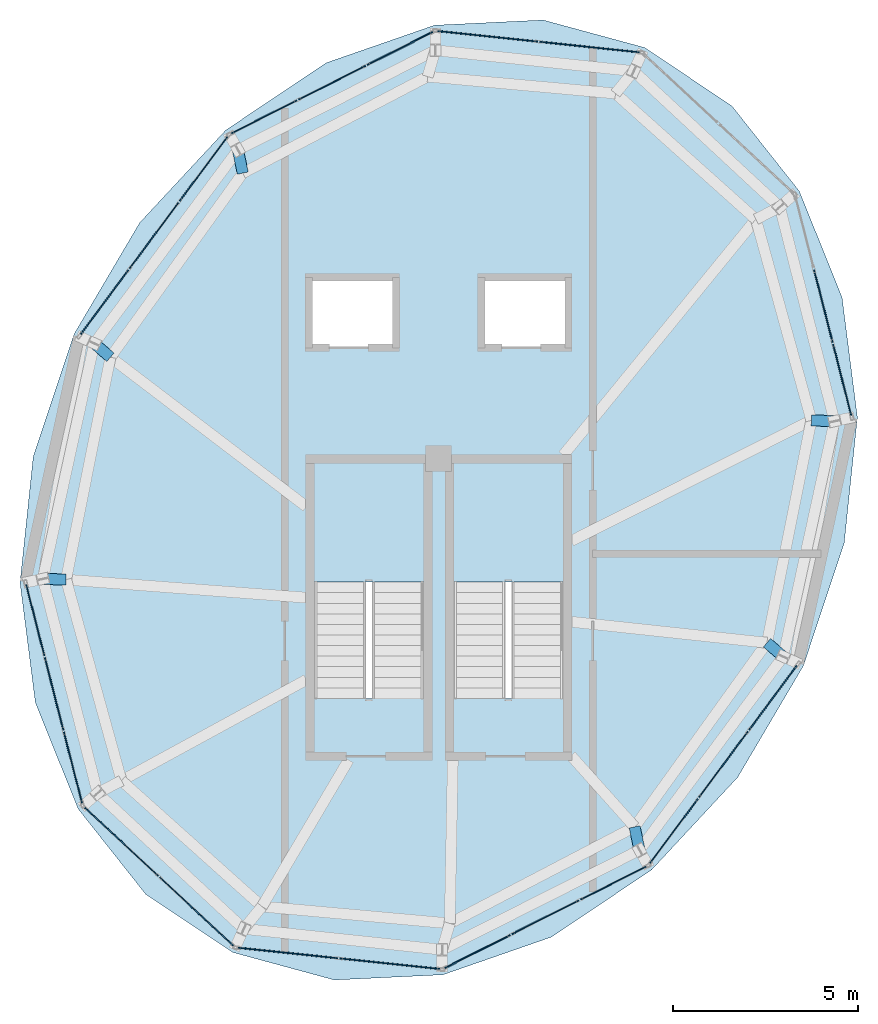
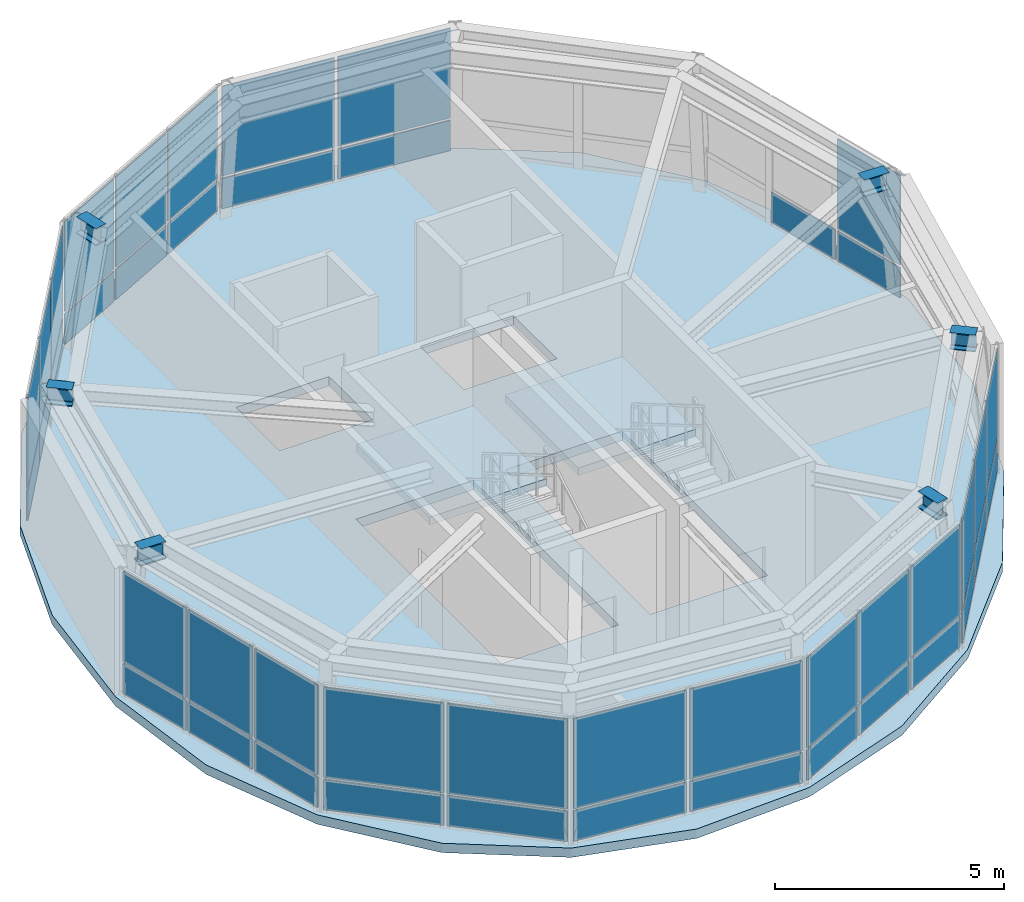
# One storey, part 7 of 9: 45 plates, 6 beams, 3 slabs, 11 elements without a shape of their own.
"""IFC4 building model written with IfcOpenShell, lengths in metres."""

from ifc_helpers import new_model, si_unit, direction, frame, origin, origin_2d, place, context, subcontext, project, spatial, polyline, rectangle, i_section, outline, extrude, material, layer, layer_set, material_profile, profile_set, type_object, element, aggregate, save


model = new_model("IFC4")

# Units and contexts
model_context = context("Model", 3, precision=1e-05, world=origin(), true_north=direction((0.0, 1.0)))
body_context = subcontext(model_context, "Body", "Model", "MODEL_VIEW")
ifc_project = project(units=[si_unit("LENGTHUNIT", "METRE"), si_unit("AREAUNIT", "SQUARE_METRE"), si_unit("VOLUMEUNIT", "CUBIC_METRE"), si_unit("PLANEANGLEUNIT", "RADIAN"), si_unit("MASSUNIT", "GRAM", prefix="KILO"), si_unit("THERMODYNAMICTEMPERATUREUNIT", "KELVIN"), si_unit("POWERUNIT", "WATT")], contexts=[model_context])

# Site, building, storey
site_placement = place(None, origin())
site = spatial("IfcSite", under=ifc_project, at=site_placement, CompositionType="ELEMENT")
building_placement = place(site_placement, origin())
building = spatial("IfcBuilding", under=site, at=building_placement, Name="Ocrelia Relay Tower", CompositionType="ELEMENT")
storey_placement = place(building_placement, frame((0.0, 0.0, 300.0)))
storey = spatial("IfcBuildingStorey", under=building, at=storey_placement, Name="L75", CompositionType="ELEMENT", Elevation=300.0)

# Beams
ifc_material_1 = material(Name="Steel S355", Category="steel")
ifc_material_profile = material_profile(ifc_material_1, i_section(OverallWidth=0.300048828125, OverallDepth=0.449951171875, WebThickness=0.013916015625, FlangeThickness=0.02587890625, FilletRadius=0.027099609375, at=origin_2d()), Name="HEB 450")
ifc_profile_set = profile_set([ifc_material_profile], Name="Steel S355")
beam_type = type_object("IfcBeamType", Name="BM-HEB450", PredefinedType="BEAM", material=ifc_profile_set)
beam_1_placement = place(storey_placement, frame((28.5869140625, 35.436767578125, 3.52490234375), z_axis=(0.206029745318, -0.978545729153, 0.0), x_axis=(0.978545729153, 0.206029745318, 0.0)))
element("IfcBeam", 1, at=beam_1_placement, inside=storey, type_object=beam_type, Name="L75 Crown Step Radial Beam ST03", PredefinedType="BEAM", context=body_context, shape_type="SweptSolid", body=[
    extrude(i_section(OverallWidth=0.300048828125, OverallDepth=0.449951171875, WebThickness=0.013916015625, FlangeThickness=0.02587890625, FilletRadius=0.027099609375, at=origin_2d()), origin(), (0.0, 0.0, 1.0), 0.638671875),
])
beam_2_placement = place(storey_placement, frame((24.714599609375, 30.2216796875, 3.52490234375), z_axis=(0.759046446129, -0.651036475644, 0.0), x_axis=(0.651036475644, 0.759046446129, 0.0)))
element("IfcBeam", 2, at=beam_2_placement, inside=storey, type_object=beam_type, Name="L75 Crown Step Radial Beam ST04", PredefinedType="BEAM", context=body_context, shape_type="SweptSolid", body=[
    extrude(i_section(OverallWidth=0.300048828125, OverallDepth=0.449951171875, WebThickness=0.013916015625, FlangeThickness=0.02587890625, FilletRadius=0.027099609375, at=origin_2d()), origin(), (0.0, 0.0, 1.0), 0.57421875),
])
beam_3_placement = place(storey_placement, frame((23.330322265625, 23.87548828125, 3.52490234375), z_axis=(0.999351333752, -0.036012660676, 0.0), x_axis=(0.036012660676, 0.999351333752, 0.0)))
element("IfcBeam", 3, at=beam_3_placement, inside=storey, type_object=beam_type, Name="L75 Crown Step Radial Beam ST05", PredefinedType="BEAM", context=body_context, shape_type="SweptSolid", body=[
    extrude(i_section(OverallWidth=0.300048828125, OverallDepth=0.449951171875, WebThickness=0.013916015625, FlangeThickness=0.02587890625, FilletRadius=0.027099609375, at=origin_2d()), origin(), (0.0, 0.0, 1.0), 0.623779296875),
])
beam_4_placement = place(storey_placement, frame((39.4130859375, 16.563232421875, 3.52490234375), z_axis=(-0.206029745318, 0.978545729153, 0.0), x_axis=(-0.978545729153, -0.206029745318, 0.0)))
element("IfcBeam", 4, at=beam_4_placement, inside=storey, type_object=beam_type, Name="L75 Crown Step Radial Beam ST09", PredefinedType="BEAM", context=body_context, shape_type="SweptSolid", body=[
    extrude(i_section(OverallWidth=0.300048828125, OverallDepth=0.449951171875, WebThickness=0.013916015625, FlangeThickness=0.02587890625, FilletRadius=0.027099609375, at=origin_2d()), origin(), (0.0, 0.0, 1.0), 0.638671875),
])
beam_5_placement = place(storey_placement, frame((43.285400390625, 21.7783203125, 3.52490234375), z_axis=(-0.759046446129, 0.651036475644, 0.0), x_axis=(-0.651036475644, -0.759046446129, 0.0)))
element("IfcBeam", 5, at=beam_5_placement, inside=storey, type_object=beam_type, Name="L75 Crown Step Radial Beam ST10", PredefinedType="BEAM", context=body_context, shape_type="SweptSolid", body=[
    extrude(i_section(OverallWidth=0.300048828125, OverallDepth=0.449951171875, WebThickness=0.013916015625, FlangeThickness=0.02587890625, FilletRadius=0.027099609375, at=origin_2d()), origin(), (0.0, 0.0, 1.0), 0.57421875),
])
beam_6_placement = place(storey_placement, frame((44.669677734375, 28.12451171875, 3.52490234375), z_axis=(-0.999351333752, 0.036012660676, 0.0), x_axis=(-0.036012660676, -0.999351333752, 0.0)))
element("IfcBeam", 6, at=beam_6_placement, inside=storey, type_object=beam_type, Name="L75 Crown Step Radial Beam ST11", PredefinedType="BEAM", context=body_context, shape_type="SweptSolid", body=[
    extrude(i_section(OverallWidth=0.300048828125, OverallDepth=0.449951171875, WebThickness=0.013916015625, FlangeThickness=0.02587890625, FilletRadius=0.027099609375, at=origin_2d()), origin(), (0.0, 0.0, 1.0), 0.623779296875),
])

# Curtain wall, plates
ifc_material_2 = material(Name="Aluminium and solar-control low-E glass", Category="aluminium")
ifc_layer_1 = layer(ifc_material_2, 0.179931640625, Name="Aluminium and solar-control low-E glass")
ifc_layer_set_1 = layer_set([ifc_layer_1], Name="Aluminium and solar-control low-E glass")
curtain_wall_type = type_object("IfcCurtainWallType", Name="CW-SYS-CROWN-PT", PredefinedType="NOTDEFINED", material=ifc_layer_set_1)
curtain_wall_1_placement = place(storey_placement, origin())
curtain_wall_1 = element("IfcCurtainWall", 7, at=curtain_wall_1_placement, inside=storey, type_object=curtain_wall_type, Name="L75 Faceted Glass-Point Crown Curtain Wall 01", PredefinedType="NOTDEFINED")
ifc_material_3 = material(Name="Clear double-glazed low-E glass", Category="glass")
ifc_layer_2 = layer(ifc_material_3, 0.031982421875, Name="Clear double-glazed low-E glass")
ifc_layer_set_2 = layer_set([ifc_layer_2], Name="Clear double-glazed low-E glass")
plate_type = type_object("IfcPlateType", Name="CW-SYS-CROWN-PT-PNL", PredefinedType="CURTAIN_PANEL", material=ifc_layer_set_2)
plate_1_placement = place(storey_placement, frame((38.070068359375, 38.210693359375, 0.06494140625), z_axis=(0.0, 0.0, 1.0), x_axis=(-0.994498031357, 0.104755265388, 0.0)))
plate_1 = element("IfcPlate", 8, at=plate_1_placement, type_object=plate_type, Name="CW-CR panel 1.1", PredefinedType="CURTAIN_PANEL", context=body_context, shape_type="SweptSolid", body=[
    extrude(rectangle(XDim=2.694091796875, YDim=0.031982421875, at=origin_2d()), origin(), (0.0, 0.0, 1.0), 0.802490234375),
])
plate_2_placement = place(storey_placement, frame((38.070068359375, 38.210693359375, 0.932373046875), z_axis=(0.0, 0.0, 1.0), x_axis=(-0.994498031357, 0.104755265388, 0.0)))
plate_2 = element("IfcPlate", 9, at=plate_2_placement, type_object=plate_type, Name="CW-CR panel 1.2", PredefinedType="CURTAIN_PANEL", context=body_context, shape_type="SweptSolid", body=[
    extrude(rectangle(XDim=2.694091796875, YDim=0.031982421875, at=origin_2d()), origin(), (0.0, 0.0, 1.0), 2.392578125),
])
plate_3_placement = place(storey_placement, frame((35.316162109375, 38.500732421875, 0.06494140625), z_axis=(0.0, 0.0, 1.0), x_axis=(-0.994498031357, 0.104755265388, 0.0)))
plate_3 = element("IfcPlate", 10, at=plate_3_placement, type_object=plate_type, Name="CW-CR panel 2.1", PredefinedType="CURTAIN_PANEL", context=body_context, shape_type="SweptSolid", body=[
    extrude(rectangle(XDim=2.694091796875, YDim=0.031982421875, at=origin_2d()), origin(), (0.0, 0.0, 1.0), 0.802490234375),
])
plate_4_placement = place(storey_placement, frame((35.316162109375, 38.500732421875, 0.932373046875), z_axis=(0.0, 0.0, 1.0), x_axis=(-0.994498031357, 0.104755265388, 0.0)))
plate_4 = element("IfcPlate", 11, at=plate_4_placement, type_object=plate_type, Name="CW-CR panel 2.2", PredefinedType="CURTAIN_PANEL", context=body_context, shape_type="SweptSolid", body=[
    extrude(rectangle(XDim=2.694091796875, YDim=0.031982421875, at=origin_2d()), origin(), (0.0, 0.0, 1.0), 2.392578125),
])
aggregate(curtain_wall_1, [plate_1, plate_2, plate_3, plate_4])

curtain_wall_2_placement = place(storey_placement, origin())
curtain_wall_2 = element("IfcCurtainWall", 12, at=curtain_wall_2_placement, inside=storey, type_object=curtain_wall_type, Name="L75 Faceted Glass-Point Crown Curtain Wall 02", PredefinedType="NOTDEFINED")
plate_5_placement = place(storey_placement, frame((32.959228515625, 38.174560546875, 0.06494140625), z_axis=(0.0, 0.0, 1.0), x_axis=(-0.892911402663, -0.450232414421, 0.0)))
plate_5 = element("IfcPlate", 13, at=plate_5_placement, type_object=plate_type, Name="CW-CR panel 1.1", PredefinedType="CURTAIN_PANEL", context=body_context, shape_type="SweptSolid", body=[
    extrude(rectangle(XDim=1.961669921875, YDim=0.031982421875, at=origin_2d()), origin(), (0.0, 0.0, 1.0), 0.802490234375),
])
plate_6_placement = place(storey_placement, frame((32.959228515625, 38.174560546875, 0.932373046875), z_axis=(0.0, 0.0, 1.0), x_axis=(-0.892911402663, -0.450232414421, 0.0)))
plate_6 = element("IfcPlate", 14, at=plate_6_placement, type_object=plate_type, Name="CW-CR panel 1.2", PredefinedType="CURTAIN_PANEL", context=body_context, shape_type="SweptSolid", body=[
    extrude(rectangle(XDim=1.961669921875, YDim=0.031982421875, at=origin_2d()), origin(), (0.0, 0.0, 1.0), 2.392578125),
])
plate_7_placement = place(storey_placement, frame((31.1240234375, 37.2490234375, 0.06494140625), z_axis=(0.0, 0.0, 1.0), x_axis=(-0.892911402663, -0.450232414421, 0.0)))
plate_7 = element("IfcPlate", 15, at=plate_7_placement, type_object=plate_type, Name="CW-CR panel 2.1", PredefinedType="CURTAIN_PANEL", context=body_context, shape_type="SweptSolid", body=[
    extrude(rectangle(XDim=1.9990234375, YDim=0.031982421875, at=origin_2d()), origin(), (0.0, 0.0, 1.0), 0.802490234375),
])
plate_8_placement = place(storey_placement, frame((31.1240234375, 37.2490234375, 0.932373046875), z_axis=(0.0, 0.0, 1.0), x_axis=(-0.892911402663, -0.450232414421, 0.0)))
plate_8 = element("IfcPlate", 16, at=plate_8_placement, type_object=plate_type, Name="CW-CR panel 2.2", PredefinedType="CURTAIN_PANEL", context=body_context, shape_type="SweptSolid", body=[
    extrude(rectangle(XDim=1.9990234375, YDim=0.031982421875, at=origin_2d()), origin(), (0.0, 0.0, 1.0), 2.392578125),
])
plate_9_placement = place(storey_placement, frame((29.288818359375, 36.32373046875, 0.06494140625), z_axis=(0.0, 0.0, 1.0), x_axis=(-0.892911402663, -0.450232414421, 0.0)))
plate_9 = element("IfcPlate", 17, at=plate_9_placement, type_object=plate_type, Name="CW-CR panel 3.1", PredefinedType="CURTAIN_PANEL", context=body_context, shape_type="SweptSolid", body=[
    extrude(rectangle(XDim=1.961669921875, YDim=0.031982421875, at=origin_2d()), origin(), (0.0, 0.0, 1.0), 0.802490234375),
])
plate_10_placement = place(storey_placement, frame((29.288818359375, 36.32373046875, 0.932373046875), z_axis=(0.0, 0.0, 1.0), x_axis=(-0.892911402663, -0.450232414421, 0.0)))
plate_10 = element("IfcPlate", 18, at=plate_10_placement, type_object=plate_type, Name="CW-CR panel 3.2", PredefinedType="CURTAIN_PANEL", context=body_context, shape_type="SweptSolid", body=[
    extrude(rectangle(XDim=1.961669921875, YDim=0.031982421875, at=origin_2d()), origin(), (0.0, 0.0, 1.0), 2.392578125),
])
aggregate(curtain_wall_2, [plate_5, plate_6, plate_7, plate_8, plate_9, plate_10])

curtain_wall_3_placement = place(storey_placement, origin())
curtain_wall_3 = element("IfcCurtainWall", 19, at=curtain_wall_3_placement, inside=storey, type_object=curtain_wall_type, Name="L75 Faceted Glass-Point Crown Curtain Wall 03", PredefinedType="NOTDEFINED")
plate_11_placement = place(storey_placement, frame((27.661376953125, 34.926513671875, 0.06494140625), z_axis=(0.0, 0.0, 1.0), x_axis=(-0.596279716576, -0.80277674331, 0.0)))
plate_11 = element("IfcPlate", 20, at=plate_11_placement, type_object=plate_type, Name="CW-CR panel 1.1", PredefinedType="CURTAIN_PANEL", context=body_context, shape_type="SweptSolid", body=[
    extrude(rectangle(XDim=2.146484375, YDim=0.031982421875, at=origin_2d()), origin(), (0.0, 0.0, 1.0), 0.802490234375),
])
plate_12_placement = place(storey_placement, frame((27.661376953125, 34.926513671875, 0.932373046875), z_axis=(0.0, 0.0, 1.0), x_axis=(-0.596279716576, -0.80277674331, 0.0)))
plate_12 = element("IfcPlate", 21, at=plate_12_placement, type_object=plate_type, Name="CW-CR panel 1.2", PredefinedType="CURTAIN_PANEL", context=body_context, shape_type="SweptSolid", body=[
    extrude(rectangle(XDim=2.146484375, YDim=0.031982421875, at=origin_2d()), origin(), (0.0, 0.0, 1.0), 2.392578125),
])
plate_13_placement = place(storey_placement, frame((26.325439453125, 33.128173828125, 0.06494140625), z_axis=(0.0, 0.0, 1.0), x_axis=(-0.596279716576, -0.80277674331, 0.0)))
plate_13 = element("IfcPlate", 22, at=plate_13_placement, type_object=plate_type, Name="CW-CR panel 2.1", PredefinedType="CURTAIN_PANEL", context=body_context, shape_type="SweptSolid", body=[
    extrude(rectangle(XDim=2.183837890625, YDim=0.031982421875, at=origin_2d()), origin(), (0.0, 0.0, 1.0), 0.802490234375),
])
plate_14_placement = place(storey_placement, frame((26.325439453125, 33.128173828125, 0.932373046875), z_axis=(0.0, 0.0, 1.0), x_axis=(-0.596279716576, -0.80277674331, 0.0)))
plate_14 = element("IfcPlate", 23, at=plate_14_placement, type_object=plate_type, Name="CW-CR panel 2.2", PredefinedType="CURTAIN_PANEL", context=body_context, shape_type="SweptSolid", body=[
    extrude(rectangle(XDim=2.183837890625, YDim=0.031982421875, at=origin_2d()), origin(), (0.0, 0.0, 1.0), 2.392578125),
])
plate_15_placement = place(storey_placement, frame((24.98974609375, 31.329833984375, 0.06494140625), z_axis=(0.0, 0.0, 1.0), x_axis=(-0.596279716576, -0.80277674331, 0.0)))
plate_15 = element("IfcPlate", 24, at=plate_15_placement, type_object=plate_type, Name="CW-CR panel 3.1", PredefinedType="CURTAIN_PANEL", context=body_context, shape_type="SweptSolid", body=[
    extrude(rectangle(XDim=2.146484375, YDim=0.031982421875, at=origin_2d()), origin(), (0.0, 0.0, 1.0), 0.802490234375),
])
plate_16_placement = place(storey_placement, frame((24.98974609375, 31.329833984375, 0.932373046875), z_axis=(0.0, 0.0, 1.0), x_axis=(-0.596279716576, -0.80277674331, 0.0)))
plate_16 = element("IfcPlate", 25, at=plate_16_placement, type_object=plate_type, Name="CW-CR panel 3.2", PredefinedType="CURTAIN_PANEL", context=body_context, shape_type="SweptSolid", body=[
    extrude(rectangle(XDim=2.146484375, YDim=0.031982421875, at=origin_2d()), origin(), (0.0, 0.0, 1.0), 2.392578125),
])
aggregate(curtain_wall_3, [plate_11, plate_12, plate_13, plate_14, plate_15, plate_16])

curtain_wall_4_placement = place(storey_placement, origin())
curtain_wall_4 = element("IfcCurtainWall", 26, at=curtain_wall_4_placement, inside=storey, type_object=curtain_wall_type, Name="L75 Faceted Glass-Point Crown Curtain Wall 05", PredefinedType="NOTDEFINED")
plate_17_placement = place(storey_placement, frame((23.123291015625, 22.763671875, 0.06494140625), z_axis=(0.0, 0.0, 1.0), x_axis=(0.24769012341, -0.968839306988, 0.0)))
plate_17 = element("IfcPlate", 27, at=plate_17_placement, type_object=plate_type, Name="CW-CR panel 1.1", PredefinedType="CURTAIN_PANEL", context=body_context, shape_type="SweptSolid", body=[
    extrude(rectangle(XDim=1.961669921875, YDim=0.031982421875, at=origin_2d()), origin(), (0.0, 0.0, 1.0), 0.802490234375),
])
plate_18_placement = place(storey_placement, frame((23.123291015625, 22.763671875, 0.932373046875), z_axis=(0.0, 0.0, 1.0), x_axis=(0.24769012341, -0.968839306988, 0.0)))
plate_18 = element("IfcPlate", 28, at=plate_18_placement, type_object=plate_type, Name="CW-CR panel 1.2", PredefinedType="CURTAIN_PANEL", context=body_context, shape_type="SweptSolid", body=[
    extrude(rectangle(XDim=1.961669921875, YDim=0.031982421875, at=origin_2d()), origin(), (0.0, 0.0, 1.0), 2.392578125),
])
plate_19_placement = place(storey_placement, frame((23.632568359375, 20.7724609375, 0.06494140625), z_axis=(0.0, 0.0, 1.0), x_axis=(0.24769012341, -0.968839306988, 0.0)))
plate_19 = element("IfcPlate", 29, at=plate_19_placement, type_object=plate_type, Name="CW-CR panel 2.1", PredefinedType="CURTAIN_PANEL", context=body_context, shape_type="SweptSolid", body=[
    extrude(rectangle(XDim=1.9990234375, YDim=0.031982421875, at=origin_2d()), origin(), (0.0, 0.0, 1.0), 0.802490234375),
])
plate_20_placement = place(storey_placement, frame((23.632568359375, 20.7724609375, 0.932373046875), z_axis=(0.0, 0.0, 1.0), x_axis=(0.24769012341, -0.968839306988, 0.0)))
plate_20 = element("IfcPlate", 30, at=plate_20_placement, type_object=plate_type, Name="CW-CR panel 2.2", PredefinedType="CURTAIN_PANEL", context=body_context, shape_type="SweptSolid", body=[
    extrude(rectangle(XDim=1.9990234375, YDim=0.031982421875, at=origin_2d()), origin(), (0.0, 0.0, 1.0), 2.392578125),
])
plate_21_placement = place(storey_placement, frame((24.1416015625, 18.781005859375, 0.06494140625), z_axis=(0.0, 0.0, 1.0), x_axis=(0.24769012341, -0.968839306988, 0.0)))
plate_21 = element("IfcPlate", 31, at=plate_21_placement, type_object=plate_type, Name="CW-CR panel 3.1", PredefinedType="CURTAIN_PANEL", context=body_context, shape_type="SweptSolid", body=[
    extrude(rectangle(XDim=1.961669921875, YDim=0.031982421875, at=origin_2d()), origin(), (0.0, 0.0, 1.0), 0.802490234375),
])
plate_22_placement = place(storey_placement, frame((24.1416015625, 18.781005859375, 0.932373046875), z_axis=(0.0, 0.0, 1.0), x_axis=(0.24769012341, -0.968839306988, 0.0)))
plate_22 = element("IfcPlate", 32, at=plate_22_placement, type_object=plate_type, Name="CW-CR panel 3.2", PredefinedType="CURTAIN_PANEL", context=body_context, shape_type="SweptSolid", body=[
    extrude(rectangle(XDim=1.961669921875, YDim=0.031982421875, at=origin_2d()), origin(), (0.0, 0.0, 1.0), 2.392578125),
])
aggregate(curtain_wall_4, [plate_17, plate_18, plate_19, plate_20, plate_21, plate_22])

curtain_wall_5_placement = place(storey_placement, origin())
curtain_wall_5 = element("IfcCurtainWall", 33, at=curtain_wall_5_placement, inside=storey, type_object=curtain_wall_type, Name="L75 Faceted Glass-Point Crown Curtain Wall 06", PredefinedType="NOTDEFINED")
plate_23_placement = place(storey_placement, frame((25.445068359375, 16.79052734375, 0.06494140625), z_axis=(0.0, 0.0, 1.0), x_axis=(0.732698940266, -0.680552909724, 0.0)))
plate_23 = element("IfcPlate", 34, at=plate_23_placement, type_object=plate_type, Name="CW-CR panel 1.1", PredefinedType="CURTAIN_PANEL", context=body_context, shape_type="SweptSolid", body=[
    extrude(rectangle(XDim=2.694091796875, YDim=0.031982421875, at=origin_2d()), origin(), (0.0, 0.0, 1.0), 0.802490234375),
])
plate_24_placement = place(storey_placement, frame((25.445068359375, 16.79052734375, 0.932373046875), z_axis=(0.0, 0.0, 1.0), x_axis=(0.732698940266, -0.680552909724, 0.0)))
plate_24 = element("IfcPlate", 35, at=plate_24_placement, type_object=plate_type, Name="CW-CR panel 1.2", PredefinedType="CURTAIN_PANEL", context=body_context, shape_type="SweptSolid", body=[
    extrude(rectangle(XDim=2.694091796875, YDim=0.031982421875, at=origin_2d()), origin(), (0.0, 0.0, 1.0), 2.392578125),
])
plate_25_placement = place(storey_placement, frame((27.473876953125, 14.906005859375, 0.06494140625), z_axis=(0.0, 0.0, 1.0), x_axis=(0.732698940266, -0.680552909724, 0.0)))
plate_25 = element("IfcPlate", 36, at=plate_25_placement, type_object=plate_type, Name="CW-CR panel 2.1", PredefinedType="CURTAIN_PANEL", context=body_context, shape_type="SweptSolid", body=[
    extrude(rectangle(XDim=2.694091796875, YDim=0.031982421875, at=origin_2d()), origin(), (0.0, 0.0, 1.0), 0.802490234375),
])
plate_26_placement = place(storey_placement, frame((27.473876953125, 14.906005859375, 0.932373046875), z_axis=(0.0, 0.0, 1.0), x_axis=(0.732698940266, -0.680552909724, 0.0)))
plate_26 = element("IfcPlate", 37, at=plate_26_placement, type_object=plate_type, Name="CW-CR panel 2.2", PredefinedType="CURTAIN_PANEL", context=body_context, shape_type="SweptSolid", body=[
    extrude(rectangle(XDim=2.694091796875, YDim=0.031982421875, at=origin_2d()), origin(), (0.0, 0.0, 1.0), 2.392578125),
])
aggregate(curtain_wall_5, [plate_23, plate_24, plate_25, plate_26])

curtain_wall_6_placement = place(storey_placement, origin())
curtain_wall_6 = element("IfcCurtainWall", 38, at=curtain_wall_6_placement, inside=storey, type_object=curtain_wall_type, Name="L75 Faceted Glass-Point Crown Curtain Wall 07", PredefinedType="NOTDEFINED")
plate_27_placement = place(storey_placement, frame((29.929931640625, 13.789306640625, 0.06494140625), z_axis=(0.0, 0.0, 1.0), x_axis=(0.994498031357, -0.104755265388, 0.0)))
plate_27 = element("IfcPlate", 39, at=plate_27_placement, type_object=plate_type, Name="CW-CR panel 1.1", PredefinedType="CURTAIN_PANEL", context=body_context, shape_type="SweptSolid", body=[
    extrude(rectangle(XDim=2.694091796875, YDim=0.031982421875, at=origin_2d()), origin(), (0.0, 0.0, 1.0), 0.802490234375),
])
plate_28_placement = place(storey_placement, frame((29.929931640625, 13.789306640625, 0.932373046875), z_axis=(0.0, 0.0, 1.0), x_axis=(0.994498031357, -0.104755265388, 0.0)))
plate_28 = element("IfcPlate", 40, at=plate_28_placement, type_object=plate_type, Name="CW-CR panel 1.2", PredefinedType="CURTAIN_PANEL", context=body_context, shape_type="SweptSolid", body=[
    extrude(rectangle(XDim=2.694091796875, YDim=0.031982421875, at=origin_2d()), origin(), (0.0, 0.0, 1.0), 2.392578125),
])
plate_29_placement = place(storey_placement, frame((32.683837890625, 13.499267578125, 0.06494140625), z_axis=(0.0, 0.0, 1.0), x_axis=(0.994498031357, -0.104755265388, 0.0)))
plate_29 = element("IfcPlate", 41, at=plate_29_placement, type_object=plate_type, Name="CW-CR panel 2.1", PredefinedType="CURTAIN_PANEL", context=body_context, shape_type="SweptSolid", body=[
    extrude(rectangle(XDim=2.694091796875, YDim=0.031982421875, at=origin_2d()), origin(), (0.0, 0.0, 1.0), 0.802490234375),
])
plate_30_placement = place(storey_placement, frame((32.683837890625, 13.499267578125, 0.932373046875), z_axis=(0.0, 0.0, 1.0), x_axis=(0.994498031357, -0.104755265388, 0.0)))
plate_30 = element("IfcPlate", 42, at=plate_30_placement, type_object=plate_type, Name="CW-CR panel 2.2", PredefinedType="CURTAIN_PANEL", context=body_context, shape_type="SweptSolid", body=[
    extrude(rectangle(XDim=2.694091796875, YDim=0.031982421875, at=origin_2d()), origin(), (0.0, 0.0, 1.0), 2.392578125),
])
aggregate(curtain_wall_6, [plate_27, plate_28, plate_29, plate_30])

curtain_wall_7_placement = place(storey_placement, origin())
curtain_wall_7 = element("IfcCurtainWall", 43, at=curtain_wall_7_placement, inside=storey, type_object=curtain_wall_type, Name="L75 Faceted Glass-Point Crown Curtain Wall 08", PredefinedType="NOTDEFINED")
plate_31_placement = place(storey_placement, frame((35.040771484375, 13.825439453125, 0.06494140625), z_axis=(0.0, 0.0, 1.0), x_axis=(0.892911402663, 0.450232414421, 0.0)))
plate_31 = element("IfcPlate", 44, at=plate_31_placement, type_object=plate_type, Name="CW-CR panel 1.1", PredefinedType="CURTAIN_PANEL", context=body_context, shape_type="SweptSolid", body=[
    extrude(rectangle(XDim=1.961669921875, YDim=0.031982421875, at=origin_2d()), origin(), (0.0, 0.0, 1.0), 0.802490234375),
])
plate_32_placement = place(storey_placement, frame((35.040771484375, 13.825439453125, 0.932373046875), z_axis=(0.0, 0.0, 1.0), x_axis=(0.892911402663, 0.450232414421, 0.0)))
plate_32 = element("IfcPlate", 45, at=plate_32_placement, type_object=plate_type, Name="CW-CR panel 1.2", PredefinedType="CURTAIN_PANEL", context=body_context, shape_type="SweptSolid", body=[
    extrude(rectangle(XDim=1.961669921875, YDim=0.031982421875, at=origin_2d()), origin(), (0.0, 0.0, 1.0), 2.392578125),
])
plate_33_placement = place(storey_placement, frame((36.8759765625, 14.7509765625, 0.06494140625), z_axis=(0.0, 0.0, 1.0), x_axis=(0.892911402663, 0.450232414421, 0.0)))
plate_33 = element("IfcPlate", 46, at=plate_33_placement, type_object=plate_type, Name="CW-CR panel 2.1", PredefinedType="CURTAIN_PANEL", context=body_context, shape_type="SweptSolid", body=[
    extrude(rectangle(XDim=1.9990234375, YDim=0.031982421875, at=origin_2d()), origin(), (0.0, 0.0, 1.0), 0.802490234375),
])
plate_34_placement = place(storey_placement, frame((36.8759765625, 14.7509765625, 0.932373046875), z_axis=(0.0, 0.0, 1.0), x_axis=(0.892911402663, 0.450232414421, 0.0)))
plate_34 = element("IfcPlate", 47, at=plate_34_placement, type_object=plate_type, Name="CW-CR panel 2.2", PredefinedType="CURTAIN_PANEL", context=body_context, shape_type="SweptSolid", body=[
    extrude(rectangle(XDim=1.9990234375, YDim=0.031982421875, at=origin_2d()), origin(), (0.0, 0.0, 1.0), 2.392578125),
])
plate_35_placement = place(storey_placement, frame((38.711181640625, 15.67626953125, 0.06494140625), z_axis=(0.0, 0.0, 1.0), x_axis=(0.892911402663, 0.450232414421, 0.0)))
plate_35 = element("IfcPlate", 48, at=plate_35_placement, type_object=plate_type, Name="CW-CR panel 3.1", PredefinedType="CURTAIN_PANEL", context=body_context, shape_type="SweptSolid", body=[
    extrude(rectangle(XDim=1.961669921875, YDim=0.031982421875, at=origin_2d()), origin(), (0.0, 0.0, 1.0), 0.802490234375),
])
plate_36_placement = place(storey_placement, frame((38.711181640625, 15.67626953125, 0.932373046875), z_axis=(0.0, 0.0, 1.0), x_axis=(0.892911402663, 0.450232414421, 0.0)))
plate_36 = element("IfcPlate", 49, at=plate_36_placement, type_object=plate_type, Name="CW-CR panel 3.2", PredefinedType="CURTAIN_PANEL", context=body_context, shape_type="SweptSolid", body=[
    extrude(rectangle(XDim=1.961669921875, YDim=0.031982421875, at=origin_2d()), origin(), (0.0, 0.0, 1.0), 2.392578125),
])
aggregate(curtain_wall_7, [plate_31, plate_32, plate_33, plate_34, plate_35, plate_36])

curtain_wall_8_placement = place(storey_placement, origin())
curtain_wall_8 = element("IfcCurtainWall", 50, at=curtain_wall_8_placement, inside=storey, type_object=curtain_wall_type, Name="L75 Faceted Glass-Point Crown Curtain Wall 09", PredefinedType="NOTDEFINED")
plate_37_placement = place(storey_placement, frame((40.338623046875, 17.073486328125, 0.06494140625), z_axis=(0.0, 0.0, 1.0), x_axis=(0.596279716576, 0.80277674331, 0.0)))
plate_37 = element("IfcPlate", 51, at=plate_37_placement, type_object=plate_type, Name="CW-CR panel 1.1", PredefinedType="CURTAIN_PANEL", context=body_context, shape_type="SweptSolid", body=[
    extrude(rectangle(XDim=2.146484375, YDim=0.031982421875, at=origin_2d()), origin(), (0.0, 0.0, 1.0), 0.802490234375),
])
plate_38_placement = place(storey_placement, frame((40.338623046875, 17.073486328125, 0.932373046875), z_axis=(0.0, 0.0, 1.0), x_axis=(0.596279716576, 0.80277674331, 0.0)))
plate_38 = element("IfcPlate", 52, at=plate_38_placement, type_object=plate_type, Name="CW-CR panel 1.2", PredefinedType="CURTAIN_PANEL", context=body_context, shape_type="SweptSolid", body=[
    extrude(rectangle(XDim=2.146484375, YDim=0.031982421875, at=origin_2d()), origin(), (0.0, 0.0, 1.0), 2.392578125),
])
plate_39_placement = place(storey_placement, frame((41.674560546875, 18.871826171875, 0.06494140625), z_axis=(0.0, 0.0, 1.0), x_axis=(0.596279716576, 0.80277674331, 0.0)))
plate_39 = element("IfcPlate", 53, at=plate_39_placement, type_object=plate_type, Name="CW-CR panel 2.1", PredefinedType="CURTAIN_PANEL", context=body_context, shape_type="SweptSolid", body=[
    extrude(rectangle(XDim=2.183837890625, YDim=0.031982421875, at=origin_2d()), origin(), (0.0, 0.0, 1.0), 0.802490234375),
])
plate_40_placement = place(storey_placement, frame((41.674560546875, 18.871826171875, 0.932373046875), z_axis=(0.0, 0.0, 1.0), x_axis=(0.596279716576, 0.80277674331, 0.0)))
plate_40 = element("IfcPlate", 54, at=plate_40_placement, type_object=plate_type, Name="CW-CR panel 2.2", PredefinedType="CURTAIN_PANEL", context=body_context, shape_type="SweptSolid", body=[
    extrude(rectangle(XDim=2.183837890625, YDim=0.031982421875, at=origin_2d()), origin(), (0.0, 0.0, 1.0), 2.392578125),
])
plate_41_placement = place(storey_placement, frame((43.01025390625, 20.670166015625, 0.06494140625), z_axis=(0.0, 0.0, 1.0), x_axis=(0.596279716576, 0.80277674331, 0.0)))
plate_41 = element("IfcPlate", 55, at=plate_41_placement, type_object=plate_type, Name="CW-CR panel 3.1", PredefinedType="CURTAIN_PANEL", context=body_context, shape_type="SweptSolid", body=[
    extrude(rectangle(XDim=2.146484375, YDim=0.031982421875, at=origin_2d()), origin(), (0.0, 0.0, 1.0), 0.802490234375),
])
plate_42_placement = place(storey_placement, frame((43.01025390625, 20.670166015625, 0.932373046875), z_axis=(0.0, 0.0, 1.0), x_axis=(0.596279716576, 0.80277674331, 0.0)))
plate_42 = element("IfcPlate", 56, at=plate_42_placement, type_object=plate_type, Name="CW-CR panel 3.2", PredefinedType="CURTAIN_PANEL", context=body_context, shape_type="SweptSolid", body=[
    extrude(rectangle(XDim=2.146484375, YDim=0.031982421875, at=origin_2d()), origin(), (0.0, 0.0, 1.0), 2.392578125),
])
aggregate(curtain_wall_8, [plate_37, plate_38, plate_39, plate_40, plate_41, plate_42])

curtain_wall_9_placement = place(storey_placement, origin())
curtain_wall_9 = element("IfcCurtainWall", 57, at=curtain_wall_9_placement, inside=storey, type_object=curtain_wall_type, Name="L75 Faceted Glass-Point Crown Curtain Wall 11", PredefinedType="NOTDEFINED")
plate_43_placement = place(storey_placement, frame((44.876708984375, 29.236328125, 0.06494140625), z_axis=(0.0, 0.0, 1.0), x_axis=(-0.24769012341, 0.968839306988, 0.0)))
plate_43 = element("IfcPlate", 58, at=plate_43_placement, type_object=plate_type, Name="CW-CR panel 1.1", PredefinedType="CURTAIN_PANEL", context=body_context, shape_type="SweptSolid", body=[
    extrude(rectangle(XDim=1.961669921875, YDim=0.031982421875, at=origin_2d()), origin(), (0.0, 0.0, 1.0), 0.802490234375),
])
plate_44_placement = place(storey_placement, frame((44.876708984375, 29.236328125, 0.932373046875), z_axis=(0.0, 0.0, 1.0), x_axis=(-0.24769012341, 0.968839306988, 0.0)))
plate_44 = element("IfcPlate", 59, at=plate_44_placement, type_object=plate_type, Name="CW-CR panel 1.2", PredefinedType="CURTAIN_PANEL", context=body_context, shape_type="SweptSolid", body=[
    extrude(rectangle(XDim=1.961669921875, YDim=0.031982421875, at=origin_2d()), origin(), (0.0, 0.0, 1.0), 2.392578125),
])
plate_45_placement = place(storey_placement, frame((44.367431640625, 31.2275390625, 0.06494140625), z_axis=(0.0, 0.0, 1.0), x_axis=(-0.24769012341, 0.968839306988, 0.0)))
plate_45 = element("IfcPlate", 60, at=plate_45_placement, type_object=plate_type, Name="CW-CR panel 2.1", PredefinedType="CURTAIN_PANEL", context=body_context, shape_type="SweptSolid", body=[
    extrude(rectangle(XDim=1.9990234375, YDim=0.031982421875, at=origin_2d()), origin(), (0.0, 0.0, 1.0), 0.802490234375),
])
aggregate(curtain_wall_9, [plate_43, plate_44, plate_45])

# Slab
ifc_material_4 = material(Name="Concrete C50/60", Category="concrete")
ifc_layer_3 = layer(ifc_material_4, 0.25, Name="Concrete C50/60")
ifc_layer_set_3 = layer_set([ifc_layer_3], Name="Concrete C50/60")
slab_type_1 = type_object("IfcSlabType", Name="SL-FLR-250", PredefinedType="FLOOR", material=ifc_layer_set_3)
slab_1_placement = place(storey_placement, frame((0.0, 0.0, -0.25)))
element("IfcSlab", 61, at=slab_1_placement, inside=storey, type_object=slab_type_1, Name="L75 Elliptical Tower Floor Slab", PredefinedType="FLOOR", context=body_context, shape_type="SweptSolid", body=[
    extrude(outline(polyline([(39.546142578125, 38.1982421875), (36.812744140625, 38.939697265625), (33.887451171875, 38.799072265625), (30.969970703125, 37.786376953125), (28.2587890625, 35.970458984375), (25.93896484375, 33.47509765625), (24.16845703125, 30.47021484375), (23.068115234375, 27.16064453125), (22.712646484375, 23.772216796875), (23.126220703125, 20.535400390625), (24.281005859375, 17.6708984375), (26.09814453125, 15.374267578125), (28.453857421875, 13.8017578125), (31.187255859375, 13.060302734375), (34.112548828125, 13.200927734375), (37.030029296875, 14.213623046875), (39.7412109375, 16.029541015625), (42.06103515625, 18.52490234375), (43.83154296875, 21.52978515625), (44.931884765625, 24.83935546875), (45.287353515625, 28.227783203125), (44.873779296875, 31.464599609375), (43.718994140625, 34.3291015625), (41.90185546875, 36.625732421875), (39.546142578125, 38.1982421875)]), holes=[polyline([(33.60009765625, 20.64990234375), (33.60009765625, 27.0), (30.639892578125, 27.0), (30.639892578125, 20.64990234375), (33.60009765625, 20.64990234375)]), polyline([(37.360107421875, 20.64990234375), (37.360107421875, 27.0), (34.39990234375, 27.0), (34.39990234375, 20.64990234375), (37.360107421875, 20.64990234375)]), polyline([(30.5, 30.10009765625), (32.85009765625, 30.10009765625), (32.85009765625, 32.0), (30.5, 32.0), (30.5, 30.10009765625)]), polyline([(35.14990234375, 30.10009765625), (37.5, 30.10009765625), (37.5, 32.0), (35.14990234375, 32.0), (35.14990234375, 30.10009765625)])]), origin(), (0.0, 0.0, 1.0), 0.25),
])

# Stair, slab
stair_type = type_object("IfcStairType", Name="ST-DL-1400-R167", PredefinedType="HALF_TURN_STAIR", material=ifc_material_4)
stair_1_placement = place(storey_placement, origin())
stair_1 = element("IfcStair", 62, at=stair_1_placement, inside=storey, type_object=stair_type, Name="L75 Crown North-West Stair ST4", PredefinedType="HALF_TURN_STAIR")
ifc_layer_4 = layer(ifc_material_4, 0.199951171875, Name="Concrete C50/60")
ifc_layer_set_4 = layer_set([ifc_layer_4], Name="Concrete C50/60")
slab_type_2 = type_object("IfcSlabType", Name="SL-LANDING-200", PredefinedType="LANDING", material=ifc_layer_set_4)
slab_2_placement = place(storey_placement, frame((0.0, 0.0, 1.800048828125)))
slab_2 = element("IfcSlab", 63, at=slab_2_placement, type_object=slab_type_2, Name="ST4 landing 1", PredefinedType="LANDING", context=body_context, shape_type="SweptSolid", body=[
    extrude(outline(polyline([(33.60009765625, 23.784912109375), (33.60009765625, 27.0), (30.639892578125, 27.0), (30.639892578125, 23.784912109375), (33.60009765625, 23.784912109375)])), origin(), (0.0, 0.0, 1.0), 0.199951171875),
])
aggregate(stair_1, [slab_2])

stair_2_placement = place(storey_placement, origin())
stair_2 = element("IfcStair", 64, at=stair_2_placement, inside=storey, type_object=stair_type, Name="L75 Crown North-East Stair ST5", PredefinedType="HALF_TURN_STAIR")
slab_3_placement = place(storey_placement, frame((0.0, 0.0, 1.800048828125)))
slab_3 = element("IfcSlab", 65, at=slab_3_placement, type_object=slab_type_2, Name="ST5 landing 1", PredefinedType="LANDING", context=body_context, shape_type="SweptSolid", body=[
    extrude(outline(polyline([(37.360107421875, 23.784912109375), (37.360107421875, 27.0), (34.39990234375, 27.0), (34.39990234375, 23.784912109375), (37.360107421875, 23.784912109375)])), origin(), (0.0, 0.0, 1.0), 0.199951171875),
])
aggregate(stair_2, [slab_3])

save(model, "model.ifc")
